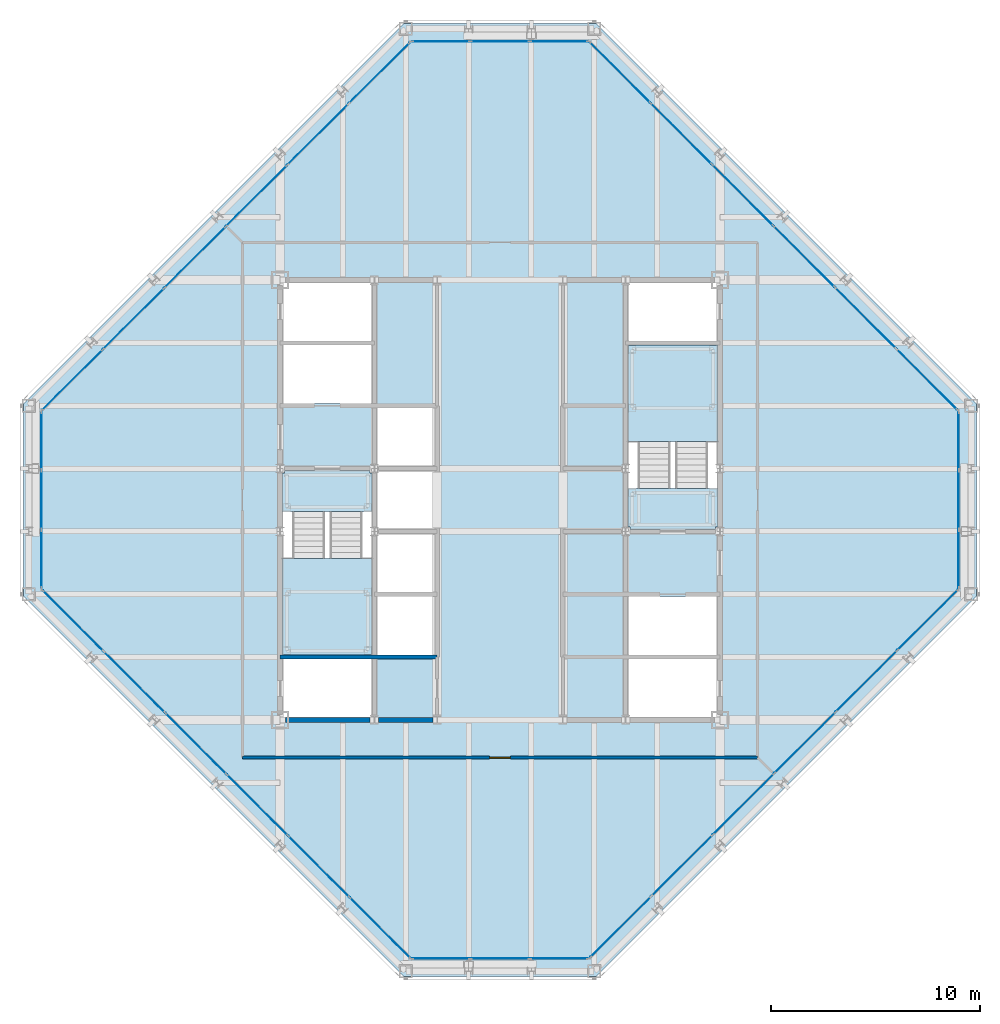
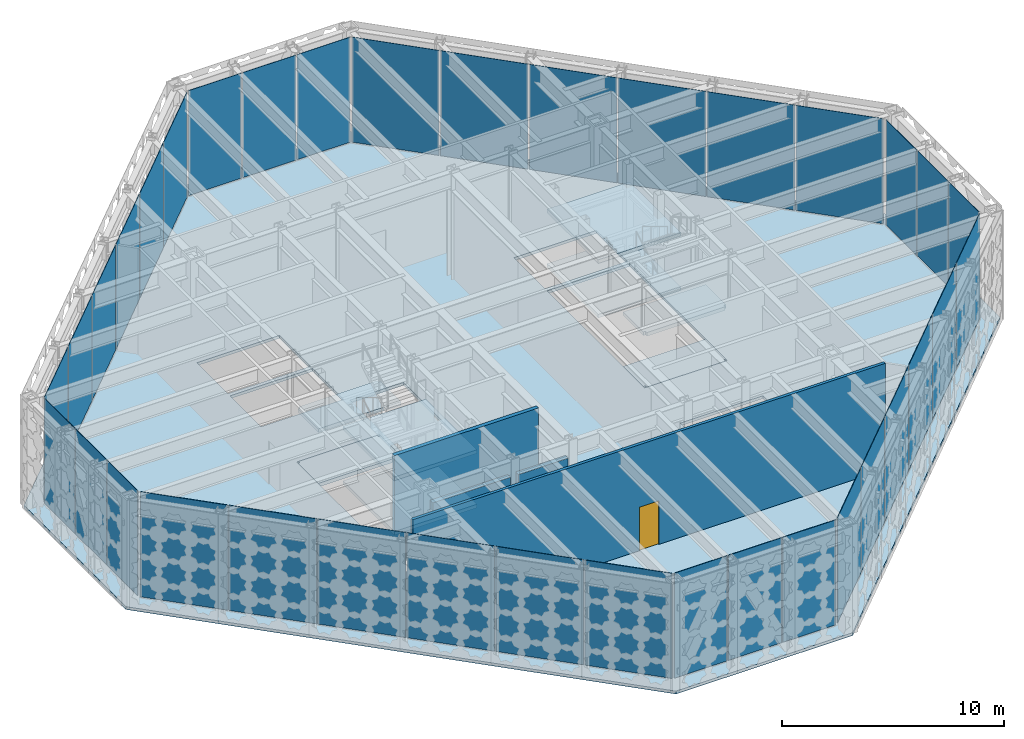
# One storey, part 10 of 28: 36 plates, 9 slabs, 4 walls, 1 door, 1 opening, 10 elements without a shape of their own.
"""IFC4 building model written with IfcOpenShell, lengths in metres."""

from ifc_helpers import new_model, si_unit, direction, frame, frame_2d, origin, origin_2d, place, context, subcontext, project, spatial, polyline, rectangle, outline, extrude, material, layer, layer_set, type_object, element, fill, aggregate, save


model = new_model("IFC4")

# Units and contexts
model_context = context("Model", 3, precision=1e-05, world=origin(), true_north=direction((0.0, 1.0)))
body_context = subcontext(model_context, "Body", "Model", "MODEL_VIEW")
ifc_project = project(units=[si_unit("LENGTHUNIT", "METRE"), si_unit("AREAUNIT", "SQUARE_METRE"), si_unit("VOLUMEUNIT", "CUBIC_METRE"), si_unit("PLANEANGLEUNIT", "RADIAN"), si_unit("MASSUNIT", "GRAM", prefix="KILO")], contexts=[model_context])

# Site, building, storey
site_placement = place(None, origin())
site = spatial("IfcSite", under=ifc_project, at=site_placement, CompositionType="ELEMENT")
building_placement = place(site_placement, origin())
building = spatial("IfcBuilding", under=site, at=building_placement, Name="Chuquiago Exchange Tower", CompositionType="ELEMENT")
storey_placement = place(building_placement, frame((0.0, 0.0, 300.0)))
storey = spatial("IfcBuildingStorey", under=building, at=storey_placement, Name="L67", CompositionType="ELEMENT", Elevation=300.0)

# Curtain wall, plate
ifc_material_1 = material(Name="Aluminium curtain wall system", Category="aluminium")
ifc_layer_1 = layer(ifc_material_1, 0.199951171875)
ifc_layer_set_1 = layer_set([ifc_layer_1], Name="CW5 lantern curtain wall")
curtain_wall_type = type_object("IfcCurtainWallType", Name="CW5 lantern curtain wall", PredefinedType="NOTDEFINED", material=ifc_layer_set_1)
curtain_wall_1_placement = place(storey_placement, origin())
curtain_wall_1 = element("IfcCurtainWall", 1, at=curtain_wall_1_placement, inside=storey, type_object=curtain_wall_type, Name="CW5 curtain wall L67", PredefinedType="NOTDEFINED")
ifc_material_2 = material(Name="Glass, insulating unit", Category="glass")
ifc_layer_2 = layer(ifc_material_2, 0.02392578125)
ifc_layer_set_2 = layer_set([ifc_layer_2], Name="CW5-P panel 24")
plate_type_1 = type_object("IfcPlateType", Name="CW5-P panel 24", PredefinedType="CURTAIN_PANEL", material=ifc_layer_set_2)
plate_1_placement = place(storey_placement, frame((25.3193359375, 0.60009765625, 0.06005859375), z_axis=(0.0, 0.0, 1.0), x_axis=(1.0, 0.0, 0.0)))
plate_1 = element("IfcPlate", 2, at=plate_1_placement, type_object=plate_type_1, Name="CW5 panel 3.1", PredefinedType="CURTAIN_PANEL", context=body_context, shape_type="SweptSolid", body=[
    extrude(rectangle(XDim=2.744384765625, YDim=0.02392578125, at=origin_2d()), origin(), (0.0, 0.0, 1.0), 5.780029296875),
])

# Curtain wall, plates
curtain_wall_2_placement = place(storey_placement, origin())
curtain_wall_2 = element("IfcCurtainWall", 3, at=curtain_wall_2_placement, inside=storey, type_object=curtain_wall_type, Name="CW5 curtain wall L67", PredefinedType="NOTDEFINED")
plate_2_placement = place(storey_placement, frame((28.26513671875, 2.11376953125, 0.06005859375), z_axis=(0.0, 0.0, 1.0), x_axis=(0.707108788515, 0.707104773852, 0.0)))
plate_2 = element("IfcPlate", 4, at=plate_2_placement, type_object=plate_type_1, Name="CW5 panel 1.1", PredefinedType="CURTAIN_PANEL", context=body_context, shape_type="SweptSolid", body=[
    extrude(rectangle(XDim=4.0615234375, YDim=0.02392578125, at=origin_2d()), origin(), (0.0, 0.0, 1.0), 5.780029296875),
])
plate_3_placement = place(storey_placement, frame((31.190185546875, 5.03857421875, 0.06005859375), z_axis=(0.0, 0.0, 1.0), x_axis=(0.707108788515, 0.707104773852, 0.0)))
plate_3 = element("IfcPlate", 5, at=plate_3_placement, type_object=plate_type_1, Name="CW5 panel 2.1", PredefinedType="CURTAIN_PANEL", context=body_context, shape_type="SweptSolid", body=[
    extrude(rectangle(XDim=4.091552734375, YDim=0.02392578125, at=origin_2d()), origin(), (0.0, 0.0, 1.0), 5.780029296875),
])
plate_4_placement = place(storey_placement, frame((34.125732421875, 7.97412109375, 0.06005859375), z_axis=(0.0, 0.0, 1.0), x_axis=(0.707108788515, 0.707104773852, 0.0)))
plate_4 = element("IfcPlate", 6, at=plate_4_placement, type_object=plate_type_1, Name="CW5 panel 3.1", PredefinedType="CURTAIN_PANEL", context=body_context, shape_type="SweptSolid", body=[
    extrude(rectangle(XDim=4.091552734375, YDim=0.02392578125, at=origin_2d()), origin(), (0.0, 0.0, 1.0), 5.780029296875),
])
plate_5_placement = place(storey_placement, frame((37.061279296875, 10.90966796875, 0.06005859375), z_axis=(0.0, 0.0, 1.0), x_axis=(0.707108788515, 0.707104773852, 0.0)))
plate_5 = element("IfcPlate", 7, at=plate_5_placement, type_object=plate_type_1, Name="CW5 panel 4.1", PredefinedType="CURTAIN_PANEL", context=body_context, shape_type="SweptSolid", body=[
    extrude(rectangle(XDim=4.091552734375, YDim=0.02392578125, at=origin_2d()), origin(), (0.0, 0.0, 1.0), 5.780029296875),
])
plate_6_placement = place(storey_placement, frame((39.99658203125, 13.84521484375, 0.06005859375), z_axis=(0.0, 0.0, 1.0), x_axis=(0.707108788515, 0.707104773852, 0.0)))
plate_6 = element("IfcPlate", 8, at=plate_6_placement, type_object=plate_type_1, Name="CW5 panel 5.1", PredefinedType="CURTAIN_PANEL", context=body_context, shape_type="SweptSolid", body=[
    extrude(rectangle(XDim=4.091552734375, YDim=0.02392578125, at=origin_2d()), origin(), (0.0, 0.0, 1.0), 5.780029296875),
])
plate_7_placement = place(storey_placement, frame((42.921630859375, 16.77001953125, 0.06005859375), z_axis=(0.0, 0.0, 1.0), x_axis=(0.707108788515, 0.707104773852, 0.0)))
plate_7 = element("IfcPlate", 9, at=plate_7_placement, type_object=plate_type_1, Name="CW5 panel 6.1", PredefinedType="CURTAIN_PANEL", context=body_context, shape_type="SweptSolid", body=[
    extrude(rectangle(XDim=4.0615234375, YDim=0.02392578125, at=origin_2d()), origin(), (0.0, 0.0, 1.0), 5.780029296875),
])
aggregate(curtain_wall_2, [plate_2, plate_3, plate_4, plate_5, plate_6, plate_7])

# Curtain wall, plate
curtain_wall_3_placement = place(storey_placement, origin())
curtain_wall_3 = element("IfcCurtainWall", 10, at=curtain_wall_3_placement, inside=storey, type_object=curtain_wall_type, Name="CW5 curtain wall L67", PredefinedType="NOTDEFINED")
plate_8_placement = place(storey_placement, frame((44.39990234375, 25.3193359375, 0.06005859375), z_axis=(0.0, 0.0, 1.0), x_axis=(0.0, 1.0, 0.0)))
plate_8 = element("IfcPlate", 11, at=plate_8_placement, type_object=plate_type_1, Name="CW5 panel 3.1", PredefinedType="CURTAIN_PANEL", context=body_context, shape_type="SweptSolid", body=[
    extrude(rectangle(XDim=2.744384765625, YDim=0.02392578125, at=origin_2d()), origin(), (0.0, 0.0, 1.0), 5.780029296875),
])

# Curtain wall, plates
curtain_wall_4_placement = place(storey_placement, origin())
curtain_wall_4 = element("IfcCurtainWall", 12, at=curtain_wall_4_placement, inside=storey, type_object=curtain_wall_type, Name="CW5 curtain wall L67", PredefinedType="NOTDEFINED")
plate_9_placement = place(storey_placement, frame((42.88623046875, 28.26513671875, 0.06005859375), z_axis=(0.0, 0.0, 1.0), x_axis=(-0.707104773852, 0.707108788515, 0.0)))
plate_9 = element("IfcPlate", 13, at=plate_9_placement, type_object=plate_type_1, Name="CW5 panel 1.1", PredefinedType="CURTAIN_PANEL", context=body_context, shape_type="SweptSolid", body=[
    extrude(rectangle(XDim=4.0615234375, YDim=0.02392578125, at=origin_2d()), origin(), (0.0, 0.0, 1.0), 5.780029296875),
])
plate_10_placement = place(storey_placement, frame((39.96142578125, 31.190185546875, 0.06005859375), z_axis=(0.0, 0.0, 1.0), x_axis=(-0.707104773852, 0.707108788515, 0.0)))
plate_10 = element("IfcPlate", 14, at=plate_10_placement, type_object=plate_type_1, Name="CW5 panel 2.1", PredefinedType="CURTAIN_PANEL", context=body_context, shape_type="SweptSolid", body=[
    extrude(rectangle(XDim=4.091552734375, YDim=0.02392578125, at=origin_2d()), origin(), (0.0, 0.0, 1.0), 5.780029296875),
])
plate_11_placement = place(storey_placement, frame((37.02587890625, 34.125732421875, 0.06005859375), z_axis=(0.0, 0.0, 1.0), x_axis=(-0.707104773852, 0.707108788515, 0.0)))
plate_11 = element("IfcPlate", 15, at=plate_11_placement, type_object=plate_type_1, Name="CW5 panel 3.1", PredefinedType="CURTAIN_PANEL", context=body_context, shape_type="SweptSolid", body=[
    extrude(rectangle(XDim=4.091552734375, YDim=0.02392578125, at=origin_2d()), origin(), (0.0, 0.0, 1.0), 5.780029296875),
])
plate_12_placement = place(storey_placement, frame((34.09033203125, 37.061279296875, 0.06005859375), z_axis=(0.0, 0.0, 1.0), x_axis=(-0.707104773852, 0.707108788515, 0.0)))
plate_12 = element("IfcPlate", 16, at=plate_12_placement, type_object=plate_type_1, Name="CW5 panel 4.1", PredefinedType="CURTAIN_PANEL", context=body_context, shape_type="SweptSolid", body=[
    extrude(rectangle(XDim=4.091552734375, YDim=0.02392578125, at=origin_2d()), origin(), (0.0, 0.0, 1.0), 5.780029296875),
])
plate_13_placement = place(storey_placement, frame((31.15478515625, 39.99658203125, 0.06005859375), z_axis=(0.0, 0.0, 1.0), x_axis=(-0.707104773852, 0.707108788515, 0.0)))
plate_13 = element("IfcPlate", 17, at=plate_13_placement, type_object=plate_type_1, Name="CW5 panel 5.1", PredefinedType="CURTAIN_PANEL", context=body_context, shape_type="SweptSolid", body=[
    extrude(rectangle(XDim=4.091552734375, YDim=0.02392578125, at=origin_2d()), origin(), (0.0, 0.0, 1.0), 5.780029296875),
])
plate_14_placement = place(storey_placement, frame((28.22998046875, 42.921630859375, 0.06005859375), z_axis=(0.0, 0.0, 1.0), x_axis=(-0.707104773852, 0.707108788515, 0.0)))
plate_14 = element("IfcPlate", 18, at=plate_14_placement, type_object=plate_type_1, Name="CW5 panel 6.1", PredefinedType="CURTAIN_PANEL", context=body_context, shape_type="SweptSolid", body=[
    extrude(rectangle(XDim=4.0615234375, YDim=0.02392578125, at=origin_2d()), origin(), (0.0, 0.0, 1.0), 5.780029296875),
])
aggregate(curtain_wall_4, [plate_9, plate_10, plate_11, plate_12, plate_13, plate_14])

# Curtain wall, plate
curtain_wall_5_placement = place(storey_placement, origin())
curtain_wall_5 = element("IfcCurtainWall", 19, at=curtain_wall_5_placement, inside=storey, type_object=curtain_wall_type, Name="CW5 curtain wall L67", PredefinedType="NOTDEFINED")
plate_15_placement = place(storey_placement, frame((19.6806640625, 44.39990234375, 0.06005859375), z_axis=(0.0, 0.0, 1.0), x_axis=(-1.0, 0.0, 0.0)))
plate_15 = element("IfcPlate", 20, at=plate_15_placement, type_object=plate_type_1, Name="CW5 panel 3.1", PredefinedType="CURTAIN_PANEL", context=body_context, shape_type="SweptSolid", body=[
    extrude(rectangle(XDim=2.744384765625, YDim=0.02392578125, at=origin_2d()), origin(), (0.0, 0.0, 1.0), 5.780029296875),
])

# Curtain wall, plates
curtain_wall_6_placement = place(storey_placement, origin())
curtain_wall_6 = element("IfcCurtainWall", 21, at=curtain_wall_6_placement, inside=storey, type_object=curtain_wall_type, Name="CW5 curtain wall L67", PredefinedType="NOTDEFINED")
plate_16_placement = place(storey_placement, frame((16.73486328125, 42.88623046875, 0.06005859375), z_axis=(0.0, 0.0, 1.0), x_axis=(-0.707108788515, -0.707104773852, 0.0)))
plate_16 = element("IfcPlate", 22, at=plate_16_placement, type_object=plate_type_1, Name="CW5 panel 1.1", PredefinedType="CURTAIN_PANEL", context=body_context, shape_type="SweptSolid", body=[
    extrude(rectangle(XDim=4.0615234375, YDim=0.02392578125, at=origin_2d()), origin(), (0.0, 0.0, 1.0), 5.780029296875),
])
plate_17_placement = place(storey_placement, frame((13.809814453125, 39.96142578125, 0.06005859375), z_axis=(0.0, 0.0, 1.0), x_axis=(-0.707108788515, -0.707104773852, 0.0)))
plate_17 = element("IfcPlate", 23, at=plate_17_placement, type_object=plate_type_1, Name="CW5 panel 2.1", PredefinedType="CURTAIN_PANEL", context=body_context, shape_type="SweptSolid", body=[
    extrude(rectangle(XDim=4.091552734375, YDim=0.02392578125, at=origin_2d()), origin(), (0.0, 0.0, 1.0), 5.780029296875),
])
plate_18_placement = place(storey_placement, frame((10.874267578125, 37.02587890625, 0.06005859375), z_axis=(0.0, 0.0, 1.0), x_axis=(-0.707108788515, -0.707104773852, 0.0)))
plate_18 = element("IfcPlate", 24, at=plate_18_placement, type_object=plate_type_1, Name="CW5 panel 3.1", PredefinedType="CURTAIN_PANEL", context=body_context, shape_type="SweptSolid", body=[
    extrude(rectangle(XDim=4.091552734375, YDim=0.02392578125, at=origin_2d()), origin(), (0.0, 0.0, 1.0), 5.780029296875),
])
plate_19_placement = place(storey_placement, frame((7.938720703125, 34.09033203125, 0.06005859375), z_axis=(0.0, 0.0, 1.0), x_axis=(-0.707108788515, -0.707104773852, 0.0)))
plate_19 = element("IfcPlate", 25, at=plate_19_placement, type_object=plate_type_1, Name="CW5 panel 4.1", PredefinedType="CURTAIN_PANEL", context=body_context, shape_type="SweptSolid", body=[
    extrude(rectangle(XDim=4.091552734375, YDim=0.02392578125, at=origin_2d()), origin(), (0.0, 0.0, 1.0), 5.780029296875),
])
plate_20_placement = place(storey_placement, frame((5.00341796875, 31.15478515625, 0.06005859375), z_axis=(0.0, 0.0, 1.0), x_axis=(-0.707108788515, -0.707104773852, 0.0)))
plate_20 = element("IfcPlate", 26, at=plate_20_placement, type_object=plate_type_1, Name="CW5 panel 5.1", PredefinedType="CURTAIN_PANEL", context=body_context, shape_type="SweptSolid", body=[
    extrude(rectangle(XDim=4.091552734375, YDim=0.02392578125, at=origin_2d()), origin(), (0.0, 0.0, 1.0), 5.780029296875),
])
plate_21_placement = place(storey_placement, frame((2.078369140625, 28.22998046875, 0.06005859375), z_axis=(0.0, 0.0, 1.0), x_axis=(-0.707108788515, -0.707104773852, 0.0)))
plate_21 = element("IfcPlate", 27, at=plate_21_placement, type_object=plate_type_1, Name="CW5 panel 6.1", PredefinedType="CURTAIN_PANEL", context=body_context, shape_type="SweptSolid", body=[
    extrude(rectangle(XDim=4.0615234375, YDim=0.02392578125, at=origin_2d()), origin(), (0.0, 0.0, 1.0), 5.780029296875),
])
aggregate(curtain_wall_6, [plate_16, plate_17, plate_18, plate_19, plate_20, plate_21])

# Curtain wall, plate
curtain_wall_7_placement = place(storey_placement, origin())
curtain_wall_7 = element("IfcCurtainWall", 28, at=curtain_wall_7_placement, inside=storey, type_object=curtain_wall_type, Name="CW5 curtain wall L67", PredefinedType="NOTDEFINED")
plate_22_placement = place(storey_placement, frame((0.60009765625, 19.6806640625, 0.06005859375), z_axis=(0.0, 0.0, 1.0), x_axis=(0.0, -1.0, 0.0)))
plate_22 = element("IfcPlate", 29, at=plate_22_placement, type_object=plate_type_1, Name="CW5 panel 3.1", PredefinedType="CURTAIN_PANEL", context=body_context, shape_type="SweptSolid", body=[
    extrude(rectangle(XDim=2.744384765625, YDim=0.02392578125, at=origin_2d()), origin(), (0.0, 0.0, 1.0), 5.780029296875),
])

# Curtain wall, plates
curtain_wall_8_placement = place(storey_placement, origin())
curtain_wall_8 = element("IfcCurtainWall", 30, at=curtain_wall_8_placement, inside=storey, type_object=curtain_wall_type, Name="CW5 curtain wall L67", PredefinedType="NOTDEFINED")
plate_23_placement = place(storey_placement, frame((2.11376953125, 16.73486328125, 0.06005859375), z_axis=(0.0, 0.0, 1.0), x_axis=(0.707104773852, -0.707108788515, 0.0)))
plate_23 = element("IfcPlate", 31, at=plate_23_placement, type_object=plate_type_1, Name="CW5 panel 1.1", PredefinedType="CURTAIN_PANEL", context=body_context, shape_type="SweptSolid", body=[
    extrude(rectangle(XDim=4.0615234375, YDim=0.02392578125, at=origin_2d()), origin(), (0.0, 0.0, 1.0), 5.780029296875),
])
plate_24_placement = place(storey_placement, frame((5.03857421875, 13.809814453125, 0.06005859375), z_axis=(0.0, 0.0, 1.0), x_axis=(0.707104773852, -0.707108788515, 0.0)))
plate_24 = element("IfcPlate", 32, at=plate_24_placement, type_object=plate_type_1, Name="CW5 panel 2.1", PredefinedType="CURTAIN_PANEL", context=body_context, shape_type="SweptSolid", body=[
    extrude(rectangle(XDim=4.091552734375, YDim=0.02392578125, at=origin_2d()), origin(), (0.0, 0.0, 1.0), 5.780029296875),
])
plate_25_placement = place(storey_placement, frame((7.97412109375, 10.874267578125, 0.06005859375), z_axis=(0.0, 0.0, 1.0), x_axis=(0.707104773852, -0.707108788515, 0.0)))
plate_25 = element("IfcPlate", 33, at=plate_25_placement, type_object=plate_type_1, Name="CW5 panel 3.1", PredefinedType="CURTAIN_PANEL", context=body_context, shape_type="SweptSolid", body=[
    extrude(rectangle(XDim=4.091552734375, YDim=0.02392578125, at=origin_2d()), origin(), (0.0, 0.0, 1.0), 5.780029296875),
])
plate_26_placement = place(storey_placement, frame((10.90966796875, 7.938720703125, 0.06005859375), z_axis=(0.0, 0.0, 1.0), x_axis=(0.707104773852, -0.707108788515, 0.0)))
plate_26 = element("IfcPlate", 34, at=plate_26_placement, type_object=plate_type_1, Name="CW5 panel 4.1", PredefinedType="CURTAIN_PANEL", context=body_context, shape_type="SweptSolid", body=[
    extrude(rectangle(XDim=4.091552734375, YDim=0.02392578125, at=origin_2d()), origin(), (0.0, 0.0, 1.0), 5.780029296875),
])
plate_27_placement = place(storey_placement, frame((13.84521484375, 5.00341796875, 0.06005859375), z_axis=(0.0, 0.0, 1.0), x_axis=(0.707104773852, -0.707108788515, 0.0)))
plate_27 = element("IfcPlate", 35, at=plate_27_placement, type_object=plate_type_1, Name="CW5 panel 5.1", PredefinedType="CURTAIN_PANEL", context=body_context, shape_type="SweptSolid", body=[
    extrude(rectangle(XDim=4.091552734375, YDim=0.02392578125, at=origin_2d()), origin(), (0.0, 0.0, 1.0), 5.780029296875),
])
plate_28_placement = place(storey_placement, frame((16.77001953125, 2.078369140625, 0.06005859375), z_axis=(0.0, 0.0, 1.0), x_axis=(0.707104773852, -0.707108788515, 0.0)))
plate_28 = element("IfcPlate", 36, at=plate_28_placement, type_object=plate_type_1, Name="CW5 panel 6.1", PredefinedType="CURTAIN_PANEL", context=body_context, shape_type="SweptSolid", body=[
    extrude(rectangle(XDim=4.0615234375, YDim=0.02392578125, at=origin_2d()), origin(), (0.0, 0.0, 1.0), 5.780029296875),
])
aggregate(curtain_wall_8, [plate_23, plate_24, plate_25, plate_26, plate_27, plate_28])

# Plate
ifc_material_3 = material(Name="Insulated spandrel panel, pale anodised aluminium", Category="aluminium")
ifc_layer_3 = layer(ifc_material_3, 0.02392578125)
ifc_layer_set_3 = layer_set([ifc_layer_3], Name="CW5-P spandrel panel 24")
plate_type_2 = type_object("IfcPlateType", Name="CW5-P spandrel panel 24", PredefinedType="CURTAIN_PANEL", material=ifc_layer_set_3)
plate_29_placement = place(storey_placement, frame((19.6806640625, 0.60009765625, 0.06005859375), z_axis=(0.0, 0.0, 1.0), x_axis=(1.0, 0.0, 0.0)))
plate_29 = element("IfcPlate", 37, at=plate_29_placement, type_object=plate_type_2, Name="CW5 panel 1.1", PredefinedType="CURTAIN_PANEL", context=body_context, shape_type="SweptSolid", body=[
    extrude(rectangle(XDim=2.744384765625, YDim=0.02392578125, at=origin_2d()), origin(), (0.0, 0.0, 1.0), 5.780029296875),
])

plate_30_placement = place(storey_placement, frame((22.5, 0.60009765625, 0.06005859375), z_axis=(0.0, 0.0, 1.0), x_axis=(1.0, 0.0, 0.0)))
plate_30 = element("IfcPlate", 38, at=plate_30_placement, type_object=plate_type_2, Name="CW5 panel 2.1", PredefinedType="CURTAIN_PANEL", context=body_context, shape_type="SweptSolid", body=[
    extrude(rectangle(XDim=2.7744140625, YDim=0.02392578125, at=origin_2d()), origin(), (0.0, 0.0, 1.0), 5.780029296875),
])

aggregate(curtain_wall_1, [plate_29, plate_30, plate_1])

plate_31_placement = place(storey_placement, frame((44.39990234375, 19.6806640625, 0.06005859375), z_axis=(0.0, 0.0, 1.0), x_axis=(0.0, 1.0, 0.0)))
plate_31 = element("IfcPlate", 39, at=plate_31_placement, type_object=plate_type_2, Name="CW5 panel 1.1", PredefinedType="CURTAIN_PANEL", context=body_context, shape_type="SweptSolid", body=[
    extrude(rectangle(XDim=2.744384765625, YDim=0.02392578125, at=origin_2d()), origin(), (0.0, 0.0, 1.0), 5.780029296875),
])

plate_32_placement = place(storey_placement, frame((44.39990234375, 22.5, 0.06005859375), z_axis=(0.0, 0.0, 1.0), x_axis=(0.0, 1.0, 0.0)))
plate_32 = element("IfcPlate", 40, at=plate_32_placement, type_object=plate_type_2, Name="CW5 panel 2.1", PredefinedType="CURTAIN_PANEL", context=body_context, shape_type="SweptSolid", body=[
    extrude(rectangle(XDim=2.7744140625, YDim=0.02392578125, at=origin_2d()), origin(), (0.0, 0.0, 1.0), 5.780029296875),
])

aggregate(curtain_wall_3, [plate_31, plate_32, plate_8])

plate_33_placement = place(storey_placement, frame((25.3193359375, 44.39990234375, 0.06005859375), z_axis=(0.0, 0.0, 1.0), x_axis=(-1.0, 0.0, 0.0)))
plate_33 = element("IfcPlate", 41, at=plate_33_placement, type_object=plate_type_2, Name="CW5 panel 1.1", PredefinedType="CURTAIN_PANEL", context=body_context, shape_type="SweptSolid", body=[
    extrude(rectangle(XDim=2.744384765625, YDim=0.02392578125, at=origin_2d()), origin(), (0.0, 0.0, 1.0), 5.780029296875),
])

plate_34_placement = place(storey_placement, frame((22.5, 44.39990234375, 0.06005859375), z_axis=(0.0, 0.0, 1.0), x_axis=(-1.0, 0.0, 0.0)))
plate_34 = element("IfcPlate", 42, at=plate_34_placement, type_object=plate_type_2, Name="CW5 panel 2.1", PredefinedType="CURTAIN_PANEL", context=body_context, shape_type="SweptSolid", body=[
    extrude(rectangle(XDim=2.7744140625, YDim=0.02392578125, at=origin_2d()), origin(), (0.0, 0.0, 1.0), 5.780029296875),
])

aggregate(curtain_wall_5, [plate_33, plate_34, plate_15])

plate_35_placement = place(storey_placement, frame((0.60009765625, 25.3193359375, 0.06005859375), z_axis=(0.0, 0.0, 1.0), x_axis=(0.0, -1.0, 0.0)))
plate_35 = element("IfcPlate", 43, at=plate_35_placement, type_object=plate_type_2, Name="CW5 panel 1.1", PredefinedType="CURTAIN_PANEL", context=body_context, shape_type="SweptSolid", body=[
    extrude(rectangle(XDim=2.744384765625, YDim=0.02392578125, at=origin_2d()), origin(), (0.0, 0.0, 1.0), 5.780029296875),
])

plate_36_placement = place(storey_placement, frame((0.60009765625, 22.5, 0.06005859375), z_axis=(0.0, 0.0, 1.0), x_axis=(0.0, -1.0, 0.0)))
plate_36 = element("IfcPlate", 44, at=plate_36_placement, type_object=plate_type_2, Name="CW5 panel 2.1", PredefinedType="CURTAIN_PANEL", context=body_context, shape_type="SweptSolid", body=[
    extrude(rectangle(XDim=2.7744140625, YDim=0.02392578125, at=origin_2d()), origin(), (0.0, 0.0, 1.0), 5.780029296875),
])

aggregate(curtain_wall_7, [plate_35, plate_36, plate_22])

# Slab
ifc_material_4 = material(Name="Concrete C30/37", Category="concrete")
ifc_layer_4 = layer(ifc_material_4, 0.159912109375)
ifc_layer_set_4 = layer_set([ifc_layer_4], Name="FS1 composite floor 160")
slab_type_1 = type_object("IfcSlabType", Name="FS1 composite floor 160", PredefinedType="FLOOR", material=ifc_layer_set_4)
slab_1_placement = place(storey_placement, frame((0.0, 0.0, -0.159912109375)))
element("IfcSlab", 45, at=slab_1_placement, inside=storey, type_object=slab_type_1, Name="L67 floor slab", PredefinedType="FLOOR", context=body_context, shape_type="SweptSolid", body=[
    extrude(outline(polyline([(17.896484375, -0.25), (-0.25, 17.896484375), (-0.25, 27.103515625), (17.896484375, 45.25), (27.103515625, 45.25), (45.25, 27.103515625), (45.25, 17.896484375), (27.103515625, -0.25), (17.896484375, -0.25)]), holes=[polyline([(16.39990234375, 15.10009765625), (12.10009765625, 15.10009765625), (12.10009765625, 23.89990234375), (16.39990234375, 23.89990234375), (16.39990234375, 15.10009765625)]), polyline([(32.89990234375, 21.10009765625), (28.60009765625, 21.10009765625), (28.60009765625, 29.89990234375), (32.89990234375, 29.89990234375), (32.89990234375, 21.10009765625)]), polyline([(16.39990234375, 12.10009765625), (12.10009765625, 12.10009765625), (12.10009765625, 14.89990234375), (16.39990234375, 14.89990234375), (16.39990234375, 12.10009765625)]), polyline([(16.39990234375, 30.10009765625), (12.10009765625, 30.10009765625), (12.10009765625, 32.89990234375), (16.39990234375, 32.89990234375), (16.39990234375, 30.10009765625)]), polyline([(32.89990234375, 12.10009765625), (28.60009765625, 12.10009765625), (28.60009765625, 14.89990234375), (32.89990234375, 14.89990234375), (32.89990234375, 12.10009765625)]), polyline([(32.89990234375, 30.10009765625), (28.60009765625, 30.10009765625), (28.60009765625, 32.89990234375), (32.89990234375, 32.89990234375), (32.89990234375, 30.10009765625)]), polyline([(16.39990234375, 27.10009765625), (12.10009765625, 27.10009765625), (12.10009765625, 29.89990234375), (16.39990234375, 29.89990234375), (16.39990234375, 27.10009765625)]), polyline([(32.89990234375, 15.10009765625), (28.60009765625, 15.10009765625), (28.60009765625, 17.89990234375), (32.89990234375, 17.89990234375), (32.89990234375, 15.10009765625)]), polyline([(19.39990234375, 15.10009765625), (16.60009765625, 15.10009765625), (16.60009765625, 26.89990234375), (19.39990234375, 26.89990234375), (19.39990234375, 15.10009765625)])]), origin(), (0.0, 0.0, 1.0), 0.159912109375),
])

# Stair, slabs
ifc_material_5 = material(Name="Concrete C30/37, precast", Category="concrete")
stair_type_1 = type_object("IfcStairType", Name="ST1 double half-turn stair 6000", PredefinedType="DOUBLE_RETURN_STAIR", material=ifc_material_5)
stair_1_placement = place(storey_placement, origin())
stair_1 = element("IfcStair", 46, at=stair_1_placement, inside=storey, type_object=stair_type_1, Name="Stair ST1 L67", PredefinedType="DOUBLE_RETURN_STAIR")
ifc_material_6 = material(Name="Concrete C30/37, precast", Category="concrete")
ifc_layer_5 = layer(ifc_material_6, 0.199951171875)
ifc_layer_set_5 = layer_set([ifc_layer_5], Name="ST-L landing 200")
slab_type_2 = type_object("IfcSlabType", Name="ST-L landing 200", PredefinedType="LANDING", material=ifc_layer_set_5)
slab_2_placement = place(storey_placement, frame((0.0, 0.0, -0.199951171875)))
slab_2 = element("IfcSlab", 47, at=slab_2_placement, type_object=slab_type_2, Name="ST1 landing 1", PredefinedType="LANDING", context=body_context, shape_type="SweptSolid", body=[
    extrude(outline(polyline([(12.208251953125, 23.89990234375), (16.291748046875, 23.89990234375), (16.291748046875, 23.77783203125), (16.39990234375, 23.77783203125), (16.39990234375, 21.949951171875), (12.10009765625, 21.949951171875), (12.10009765625, 23.77783203125), (12.208251953125, 23.77783203125), (12.208251953125, 23.89990234375)])), origin(), (0.0, 0.0, 1.0), 0.199951171875),
])
slab_3_placement = place(storey_placement, frame((0.0, 0.0, 1.300048828125)))
slab_3 = element("IfcSlab", 48, at=slab_3_placement, type_object=slab_type_2, Name="ST1 landing 2", PredefinedType="LANDING", context=body_context, shape_type="SweptSolid", body=[
    extrude(outline(polyline([(12.10009765625, 19.7099609375), (16.39990234375, 19.7099609375), (16.39990234375, 15.10009765625), (12.10009765625, 15.10009765625), (12.10009765625, 19.7099609375)])), origin(), (0.0, 0.0, 1.0), 0.199951171875),
])
slab_4_placement = place(storey_placement, frame((0.0, 0.0, 2.800048828125)))
slab_4 = element("IfcSlab", 49, at=slab_4_placement, type_object=slab_type_2, Name="ST1 landing 3", PredefinedType="LANDING", context=body_context, shape_type="SweptSolid", body=[
    extrude(outline(polyline([(12.208251953125, 23.89990234375), (16.291748046875, 23.89990234375), (16.291748046875, 23.77783203125), (16.39990234375, 23.77783203125), (16.39990234375, 21.949951171875), (12.10009765625, 21.949951171875), (12.10009765625, 23.77783203125), (12.208251953125, 23.77783203125), (12.208251953125, 23.89990234375)])), origin(), (0.0, 0.0, 1.0), 0.199951171875),
])
slab_5_placement = place(storey_placement, frame((0.0, 0.0, 4.300048828125)))
slab_5 = element("IfcSlab", 50, at=slab_5_placement, type_object=slab_type_2, Name="ST1 landing 4", PredefinedType="LANDING", context=body_context, shape_type="SweptSolid", body=[
    extrude(outline(polyline([(12.10009765625, 19.7099609375), (16.39990234375, 19.7099609375), (16.39990234375, 15.10009765625), (12.10009765625, 15.10009765625), (12.10009765625, 19.7099609375)])), origin(), (0.0, 0.0, 1.0), 0.199951171875),
])
aggregate(stair_1, [slab_2, slab_3, slab_4, slab_5])

ifc_material_7 = material(Name="Concrete C30/37, precast", Category="concrete")
stair_type_2 = type_object("IfcStairType", Name="ST2 double half-turn stair 6000", PredefinedType="DOUBLE_RETURN_STAIR", material=ifc_material_7)
stair_2_placement = place(storey_placement, origin())
stair_2 = element("IfcStair", 51, at=stair_2_placement, inside=storey, type_object=stair_type_2, Name="Stair ST2 L67", PredefinedType="DOUBLE_RETURN_STAIR")
slab_6_placement = place(storey_placement, frame((0.0, 0.0, -0.199951171875)))
slab_6 = element("IfcSlab", 52, at=slab_6_placement, type_object=slab_type_2, Name="ST2 landing 1", PredefinedType="LANDING", context=body_context, shape_type="SweptSolid", body=[
    extrude(outline(polyline([(32.791748046875, 21.22216796875), (32.791748046875, 21.10009765625), (28.708251953125, 21.10009765625), (28.708251953125, 21.22216796875), (28.60009765625, 21.22216796875), (28.60009765625, 23.050048828125), (32.89990234375, 23.050048828125), (32.89990234375, 21.22216796875), (32.791748046875, 21.22216796875)])), origin(), (0.0, 0.0, 1.0), 0.199951171875),
])
slab_7_placement = place(storey_placement, frame((0.0, 0.0, 1.300048828125)))
slab_7 = element("IfcSlab", 53, at=slab_7_placement, type_object=slab_type_2, Name="ST2 landing 2", PredefinedType="LANDING", context=body_context, shape_type="SweptSolid", body=[
    extrude(outline(polyline([(28.60009765625, 29.89990234375), (32.89990234375, 29.89990234375), (32.89990234375, 25.2900390625), (28.60009765625, 25.2900390625), (28.60009765625, 29.89990234375)])), origin(), (0.0, 0.0, 1.0), 0.199951171875),
])
slab_8_placement = place(storey_placement, frame((0.0, 0.0, 2.800048828125)))
slab_8 = element("IfcSlab", 54, at=slab_8_placement, type_object=slab_type_2, Name="ST2 landing 3", PredefinedType="LANDING", context=body_context, shape_type="SweptSolid", body=[
    extrude(outline(polyline([(32.791748046875, 21.22216796875), (32.791748046875, 21.10009765625), (28.708251953125, 21.10009765625), (28.708251953125, 21.22216796875), (28.60009765625, 21.22216796875), (28.60009765625, 23.050048828125), (32.89990234375, 23.050048828125), (32.89990234375, 21.22216796875), (32.791748046875, 21.22216796875)])), origin(), (0.0, 0.0, 1.0), 0.199951171875),
])
slab_9_placement = place(storey_placement, frame((0.0, 0.0, 4.300048828125)))
slab_9 = element("IfcSlab", 55, at=slab_9_placement, type_object=slab_type_2, Name="ST2 landing 4", PredefinedType="LANDING", context=body_context, shape_type="SweptSolid", body=[
    extrude(outline(polyline([(28.60009765625, 29.89990234375), (32.89990234375, 29.89990234375), (32.89990234375, 25.2900390625), (28.60009765625, 25.2900390625), (28.60009765625, 29.89990234375)])), origin(), (0.0, 0.0, 1.0), 0.199951171875),
])
aggregate(stair_2, [slab_6, slab_7, slab_8, slab_9])

# Walls
ifc_material_8 = material(Name="Concrete masonry, fully grouted", Category="masonry")
ifc_layer_6 = layer(ifc_material_8, 0.25)
ifc_layer_set_6 = layer_set([ifc_layer_6], Name="W1 core wall 250")
wall_type_1 = type_object("IfcWallType", Name="W1 core wall 250", PredefinedType="SOLIDWALL", material=ifc_layer_set_6)
wall_1_placement = place(storey_placement, frame((12.25, 12.0, 0.0), z_axis=(0.0, 0.0, 1.0), x_axis=(1.0, 0.0, 0.0)))
element("IfcWall", 56, at=wall_1_placement, inside=storey, type_object=wall_type_1, Name="CW-L67-01-0", PredefinedType="SOLIDWALL", context=body_context, shape_type="SweptSolid", body=[
    extrude(rectangle(XDim=4.041748046875, YDim=0.25, at=frame_2d((2.02099609375, 0.0))), origin(), (0.0, 0.0, 1.0), 4.9814453125),
])
wall_2_placement = place(storey_placement, frame((16.708251953125, 12.0, 0.0), z_axis=(0.0, 0.0, 1.0), x_axis=(1.0, 0.0, 0.0)))
element("IfcWall", 57, at=wall_2_placement, inside=storey, type_object=wall_type_1, Name="CW-L67-01-1", PredefinedType="SOLIDWALL", context=body_context, shape_type="SweptSolid", body=[
    extrude(rectangle(XDim=2.58349609375, YDim=0.25, at=frame_2d((1.291748046875, 0.0))), origin(), (0.0, 0.0, 1.0), 4.9814453125),
])

# Wall, opening, door
ifc_material_9 = material(Name="Gypsum board on steel studs, acoustic insulation", Category="steel")
ifc_layer_7 = layer(ifc_material_9, 0.14990234375)
ifc_layer_set_7 = layer_set([ifc_layer_7], Name="W11 corridor wall 150")
wall_type_2 = type_object("IfcWallType", Name="W11 corridor wall 150", PredefinedType="PARTITIONING", material=ifc_layer_set_7)
wall_3_placement = place(storey_placement, frame((10.199951171875, 10.199951171875, 0.0), z_axis=(0.0, 0.0, 1.0), x_axis=(1.0, 0.0, 0.0)))
wall_3 = element("IfcWall", 58, at=wall_3_placement, inside=storey, type_object=wall_type_2, Name="PW-L67-PCS", PredefinedType="PARTITIONING", context=body_context, shape_type="SweptSolid", body=[
    extrude(rectangle(XDim=24.60009765625, YDim=0.14990234375, at=frame_2d((12.300048828125, 0.0))), origin(), (0.0, 0.0, 1.0), 5.840087890625),
])
opening_placement = place(wall_3_placement, frame((11.800048828125, 0.0, 0.0)))
opening = element("IfcOpeningElement", 59, at=opening_placement, cuts=wall_3, Name="Opening L67-012", PredefinedType="OPENING", context=body_context, shape_type="SweptSolid", body=[
    extrude(rectangle(XDim=1.0, YDim=2.39990234375, at=frame_2d((0.5, 1.199951171875))), frame((0.0, 0.0849609375, 0.0), z_axis=(0.0, -1.0, 0.0), x_axis=(1.0, 0.0, 0.0)), (0.0, 0.0, 1.0), 0.169921875),
])
ifc_material_10 = material(Name="Timber door, laminate faced", Category="wood")
door_type = type_object("IfcDoorType", Name="D9 room door 1000x2400", OperationType="SINGLE_SWING_LEFT", PredefinedType="DOOR", material=ifc_material_10)
door_placement = place(opening_placement, frame((1.0, 0.0, 0.0), z_axis=(0.0, 0.0, 1.0), x_axis=(-1.0, 0.0, 0.0)))
door = element("IfcDoor", 60, at=door_placement, inside=storey, type_object=door_type, Name="Plant corridor south door", OperationType="SINGLE_SWING_LEFT", OverallHeight=2.39990234375, OverallWidth=1.0, PredefinedType="DOOR", context=body_context, shape_type="SweptSolid", body=[
    extrude(rectangle(XDim=1.0, YDim=2.39990234375, at=frame_2d((0.5, 1.199951171875))), frame((0.0, 0.02490234375, 0.0), z_axis=(0.0, -1.0, 0.0), x_axis=(1.0, 0.0, 0.0)), (0.0, 0.0, 1.0), 0.050048828125),
])
fill(opening, door)

# Wall
ifc_material_11 = material(Name="Concrete masonry, fully grouted", Category="masonry")
ifc_layer_8 = layer(ifc_material_11, 0.199951171875)
ifc_layer_set_8 = layer_set([ifc_layer_8], Name="W2 shaft wall 200")
wall_type_3 = type_object("IfcWallType", Name="W2 shaft wall 200", PredefinedType="SOLIDWALL", material=ifc_layer_set_8)
wall_4_placement = place(storey_placement, frame((12.0, 15.0, 0.0), z_axis=(0.0, 0.0, 1.0), x_axis=(1.0, 0.0, 0.0)))
element("IfcWall", 61, at=wall_4_placement, inside=storey, type_object=wall_type_3, Name="CW-L67-03-0", PredefinedType="SOLIDWALL", context=body_context, shape_type="SweptSolid", body=[
    extrude(rectangle(XDim=7.5, YDim=0.199951171875, at=frame_2d((3.75, 0.0))), origin(), (0.0, 0.0, 1.0), 5.840087890625),
])

save(model, "model.ifc")
